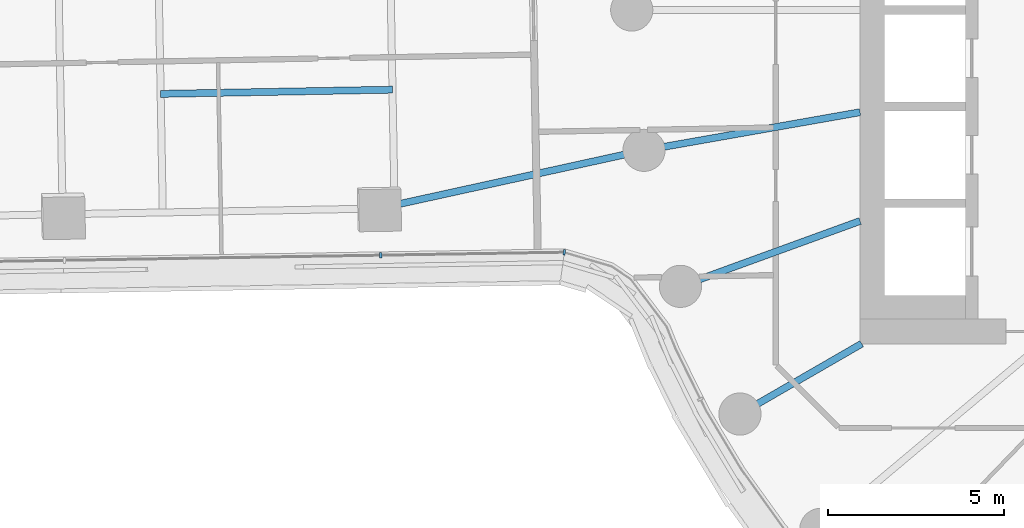
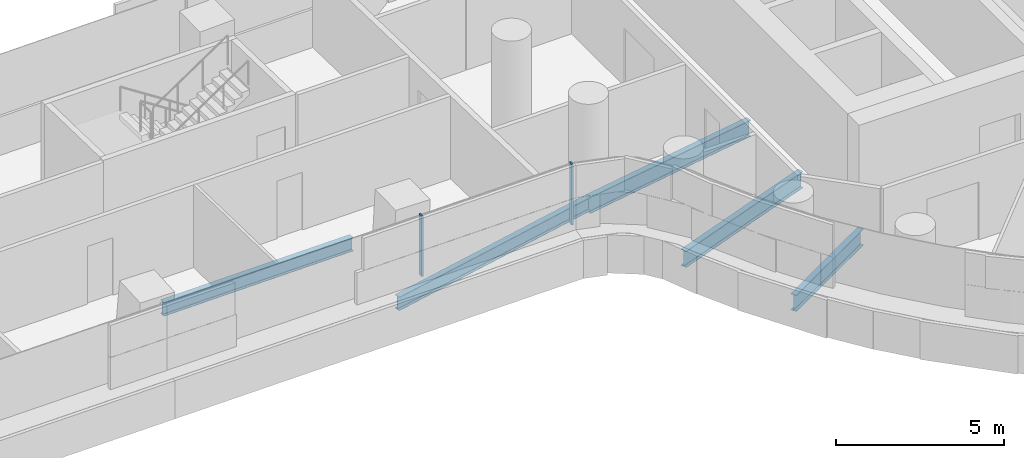
# One storey, part 5 of 31: 5 beams, 2 members, 2 elements without a shape of their own.
"""IFC4 building model written with IfcOpenShell, lengths in metres."""

from ifc_helpers import new_model, si_unit, direction, frame, origin, origin_2d, place, context, subcontext, project, spatial, rectangle, i_section, extrude, material, layer, layer_set, material_profile, profile_set, type_object, element, aggregate, save


model = new_model("IFC4")

# Units and contexts
model_context = context("Model", 3, precision=1e-05, world=origin(), true_north=direction((0.0, 1.0)))
body_context = subcontext(model_context, "Body", "Model", "MODEL_VIEW")
ifc_project = project(units=[si_unit("LENGTHUNIT", "METRE"), si_unit("AREAUNIT", "SQUARE_METRE"), si_unit("VOLUMEUNIT", "CUBIC_METRE"), si_unit("PLANEANGLEUNIT", "RADIAN"), si_unit("MASSUNIT", "GRAM", prefix="KILO")], contexts=[model_context])

# Site, building, storey
site_placement = place(None, origin())
site = spatial("IfcSite", under=ifc_project, at=site_placement, CompositionType="ELEMENT")
building_placement = place(site_placement, origin())
building = spatial("IfcBuilding", under=site, at=building_placement, Name="Tamarind Cross Interchange Tower", CompositionType="ELEMENT")
storey_placement = place(building_placement, frame((0.0, 0.0, 37.75)))
storey = spatial("IfcBuildingStorey", under=building, at=storey_placement, Name="L07", CompositionType="ELEMENT", Elevation=37.75)

# Beams
ifc_material_1 = material(Name="Steel Q355B", Category="steel")
ifc_material_profile_1 = material_profile(ifc_material_1, i_section(OverallWidth=0.198974609375, OverallDepth=0.49609375, WebThickness=0.009033203125, FlangeThickness=0.013916015625, FilletRadius=0.012939453125, at=origin_2d()), Name="HN 496x199x9x14")
ifc_profile_set_1 = profile_set([ifc_material_profile_1], Name="Steel Q355B")
beam_type_1 = type_object("IfcBeamType", Name="Composite beam HN 496x199x9x14 Q355B", PredefinedType="BEAM", material=ifc_profile_set_1)
beam_1_placement = place(storey_placement, frame((-30.1982421875, -5.650390625, -0.387939453125), z_axis=(0.97675241152, 0.214370535732, 0.0), x_axis=(-0.214370535732, 0.97675241152, 0.0)))
element("IfcBeam", 1, at=beam_1_placement, inside=storey, type_object=beam_type_1, Name="Beam W-linkep", PredefinedType="BEAM", context=body_context, shape_type="SweptSolid", body=[
    extrude(i_section(OverallWidth=0.198974609375, OverallDepth=0.49609375, WebThickness=0.009033203125, FlangeThickness=0.013916015625, FilletRadius=0.012939453125, at=origin_2d()), origin(), (0.0, 0.0, 1.0), 7.727294921875),
])
beam_2_placement = place(storey_placement, frame((-29.81005859375, -2.267822265625, -0.387939453125), z_axis=(-0.99983369874, -0.018236635224, 0.0), x_axis=(0.018236635224, -0.99983369874, 0.0)))
element("IfcBeam", 2, at=beam_2_placement, inside=storey, type_object=beam_type_1, Name="Beam W-stripp", PredefinedType="BEAM", context=body_context, shape_type="SweptSolid", body=[
    extrude(i_section(OverallWidth=0.198974609375, OverallDepth=0.49609375, WebThickness=0.009033203125, FlangeThickness=0.013916015625, FilletRadius=0.012939453125, at=origin_2d()), origin(), (0.0, 0.0, 1.0), 6.599853515625),
])
ifc_material_profile_2 = material_profile(ifc_material_1, i_section(OverallWidth=0.198974609375, OverallDepth=0.595947265625, WebThickness=0.010009765625, FlangeThickness=0.014892578125, FilletRadius=0.012939453125, at=origin_2d()), Name="HN 596x199x10x15")
ifc_profile_set_2 = profile_set([ifc_material_profile_2], Name="Steel Q355B")
beam_type_2 = type_object("IfcBeamType", Name="Composite beam HN 596x199x10x15 Q355B", PredefinedType="BEAM", material=ifc_profile_set_2)
beam_3_placement = place(storey_placement, frame((-22.650634765625, -3.993896484375, -0.43798828125), z_axis=(0.984809127561, 0.173640382036, 0.0), x_axis=(-0.173640382036, 0.984809127561, 0.0)))
element("IfcBeam", 3, at=beam_3_placement, inside=storey, type_object=beam_type_2, Name="Beam HH19", PredefinedType="BEAM", context=body_context, shape_type="SweptSolid", body=[
    extrude(i_section(OverallWidth=0.198974609375, OverallDepth=0.595947265625, WebThickness=0.010009765625, FlangeThickness=0.014892578125, FilletRadius=0.012939453125, at=origin_2d()), origin(), (0.0, 0.0, 1.0), 6.24560546875),
])
beam_4_placement = place(storey_placement, frame((-21.613037109375, -7.866455078125, -0.43798828125), z_axis=(0.939701685589, 0.341995236956, 0.0), x_axis=(-0.341995236956, 0.939701685589, 0.0)))
element("IfcBeam", 4, at=beam_4_placement, inside=storey, type_object=beam_type_2, Name="Beam HH20", PredefinedType="BEAM", context=body_context, shape_type="SweptSolid", body=[
    extrude(i_section(OverallWidth=0.198974609375, OverallDepth=0.595947265625, WebThickness=0.010009765625, FlangeThickness=0.014892578125, FilletRadius=0.012939453125, at=origin_2d()), origin(), (0.0, 0.0, 1.0), 5.441162109375),
])
beam_5_placement = place(storey_placement, frame((-19.918701171875, -11.5, -0.43798828125), z_axis=(0.866026010844, 0.49999894854, 0.0), x_axis=(-0.49999894854, 0.866026010844, 0.0)))
element("IfcBeam", 5, at=beam_5_placement, inside=storey, type_object=beam_type_2, Name="Beam HH21", PredefinedType="BEAM", context=body_context, shape_type="SweptSolid", body=[
    extrude(i_section(OverallWidth=0.198974609375, OverallDepth=0.595947265625, WebThickness=0.010009765625, FlangeThickness=0.014892578125, FilletRadius=0.012939453125, at=origin_2d()), origin(), (0.0, 0.0, 1.0), 4.0),
])

# Curtain wall, member
ifc_material_2 = material(Name="Aluminium 6063-T6", Category="aluminium")
ifc_layer = layer(ifc_material_2, 0.159912109375)
ifc_layer_set = layer_set([ifc_layer], Name="Aluminium 6063-T6")
curtain_wall_type = type_object("IfcCurtainWallType", Name="Office curtain wall, 9.0 m bays", PredefinedType="NOTDEFINED", material=ifc_layer_set)
curtain_wall_1_placement = place(storey_placement, origin())
curtain_wall_1 = element("IfcCurtainWall", 6, at=curtain_wall_1_placement, inside=storey, type_object=curtain_wall_type, Name="CWS-L07-05", PredefinedType="NOTDEFINED")
ifc_material_profile_3 = material_profile(ifc_material_2, rectangle(XDim=0.06005859375, YDim=0.159912109375, at=origin_2d()), Name="Mullion CW1")
ifc_profile_set_3 = profile_set([ifc_material_profile_3], Name="Aluminium 6063-T6")
member_type = type_object("IfcMemberType", Name="Mullion CW1", PredefinedType="MULLION", material=ifc_profile_set_3)
member_1_placement = place(storey_placement, frame((-30.144287109375, -6.984619140625, 1.39990234375), z_axis=(0.0, 0.0, 1.0), x_axis=(0.999868866543, 0.016194126045, 0.0)))
member_1 = element("IfcMember", 7, at=member_1_placement, type_object=member_type, Name="CWM-L07-05-02", PredefinedType="MULLION", context=body_context, shape_type="SweptSolid", body=[
    extrude(rectangle(XDim=0.06005859375, YDim=0.159912109375, at=origin_2d()), origin(), (0.0, 0.0, 1.0), 2.210205078125),
])
aggregate(curtain_wall_1, [member_1])

curtain_wall_2_placement = place(storey_placement, origin())
curtain_wall_2 = element("IfcCurtainWall", 8, at=curtain_wall_2_placement, inside=storey, type_object=curtain_wall_type, Name="CWS-L07-06", PredefinedType="NOTDEFINED")
member_2_placement = place(storey_placement, frame((-24.917724609375, -6.900146484375, 1.39990234375), z_axis=(0.0, 0.0, 1.0), x_axis=(0.990913428854, -0.134501213808, 0.0)))
member_2 = element("IfcMember", 9, at=member_2_placement, type_object=member_type, Name="CWM-L07-06-00", PredefinedType="MULLION", context=body_context, shape_type="SweptSolid", body=[
    extrude(rectangle(XDim=0.06005859375, YDim=0.159912109375, at=origin_2d()), origin(), (0.0, 0.0, 1.0), 2.210205078125),
])
aggregate(curtain_wall_2, [member_2])

save(model, "model.ifc")
